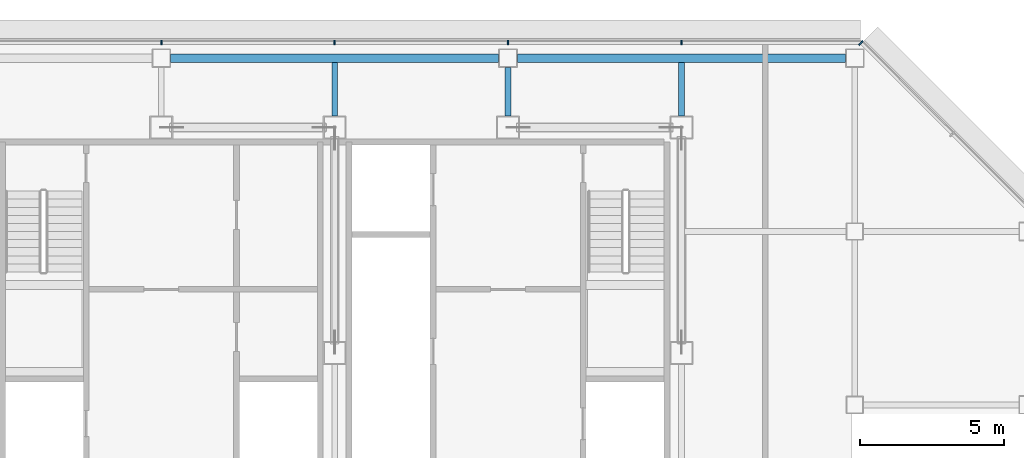
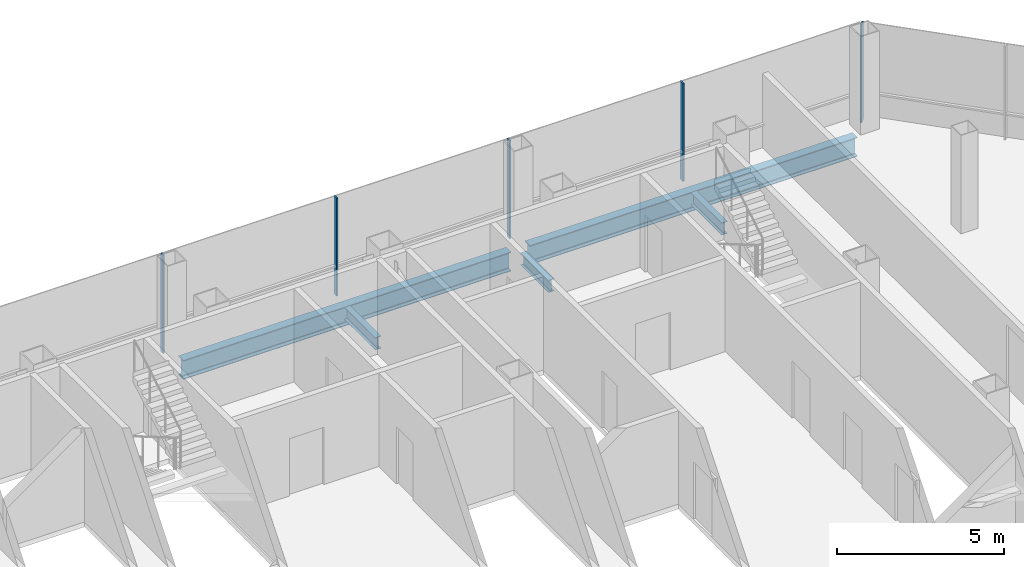
# One storey, part 15 of 26: 5 beams, 5 members, 2 elements without a shape of their own.
"""IFC4 building model written with IfcOpenShell, lengths in metres."""

from ifc_helpers import new_model, si_unit, direction, frame, origin, origin_2d, place, context, subcontext, project, spatial, rectangle, i_section, extrude, material, material_profile, profile_set, type_object, element, aggregate, save


model = new_model("IFC4")

# Units and contexts
model_context = context("Model", 3, precision=1e-05, world=origin(), true_north=direction((0.0, 1.0)))
body_context = subcontext(model_context, "Body", "Model", "MODEL_VIEW")
ifc_project = project(units=[si_unit("LENGTHUNIT", "METRE"), si_unit("AREAUNIT", "SQUARE_METRE"), si_unit("VOLUMEUNIT", "CUBIC_METRE"), si_unit("PLANEANGLEUNIT", "RADIAN"), si_unit("MASSUNIT", "GRAM", prefix="KILO")], contexts=[model_context])

# Site, building, storey
site_placement = place(None, origin())
site = spatial("IfcSite", under=ifc_project, at=site_placement, CompositionType="ELEMENT")
building_placement = place(site_placement, origin())
building = spatial("IfcBuilding", under=site, at=building_placement, Name="Sorahane Residences", CompositionType="ELEMENT")
storey_placement = place(building_placement, frame((0.0, 0.0, 222.60009765625)))
storey = spatial("IfcBuildingStorey", under=building, at=storey_placement, Name="L52", CompositionType="ELEMENT", Elevation=222.60009765625)

# Curtain wall, members
ifc_material_1 = material(Name="Dark low-e glass and black anodised aluminium", Category="aluminium")
curtain_wall_type_1 = type_object("IfcCurtainWallType", Name="Curtain wall CW-1 Typical unitised wall", PredefinedType="NOTDEFINED", material=ifc_material_1)
curtain_wall_1_placement = place(storey_placement, origin())
curtain_wall_1 = element("IfcCurtainWall", 1, at=curtain_wall_1_placement, inside=storey, type_object=curtain_wall_type_1, Name="CW-1 curtain wall L52 N1", PredefinedType="NOTDEFINED")
ifc_material_2 = material(Name="Black anodised aluminium", Category="aluminium")
ifc_material_profile_1 = material_profile(ifc_material_2, rectangle(XDim=0.159912109375, YDim=0.050048828125, at=origin_2d()), Name="Curtain wall mullion CW-1 black anodised aluminium 50x160")
ifc_profile_set_1 = profile_set([ifc_material_profile_1], Name="Black anodised aluminium")
member_type_1 = type_object("IfcMemberType", Name="Curtain wall mullion CW-1 black anodised aluminium 50x160", PredefinedType="MULLION", material=ifc_profile_set_1)
member_1_placement = place(storey_placement, frame((42.0, 48.5400390625, -0.18017578125), z_axis=(0.0, 0.0, 1.0), x_axis=(0.0, 1.0, 0.0)))
member_1 = element("IfcMember", 2, at=member_1_placement, type_object=member_type_1, Name="CW-1 mullion L52 N1.2", PredefinedType="MULLION", context=body_context, shape_type="SweptSolid", body=[
    extrude(rectangle(XDim=0.159912109375, YDim=0.050048828125, at=origin_2d()), origin(), (0.0, 0.0, 1.0), 3.60009765625),
])
member_2_placement = place(storey_placement, frame((36.0, 48.5400390625, -0.18017578125), z_axis=(0.0, 0.0, 1.0), x_axis=(0.0, 1.0, 0.0)))
member_2 = element("IfcMember", 3, at=member_2_placement, type_object=member_type_1, Name="CW-1 mullion L52 N1.3", PredefinedType="MULLION", context=body_context, shape_type="SweptSolid", body=[
    extrude(rectangle(XDim=0.159912109375, YDim=0.050048828125, at=origin_2d()), origin(), (0.0, 0.0, 1.0), 3.60009765625),
])
member_3_placement = place(storey_placement, frame((30.0, 48.5400390625, -0.18017578125), z_axis=(0.0, 0.0, 1.0), x_axis=(0.0, 1.0, 0.0)))
member_3 = element("IfcMember", 4, at=member_3_placement, type_object=member_type_1, Name="CW-1 mullion L52 N1.4", PredefinedType="MULLION", context=body_context, shape_type="SweptSolid", body=[
    extrude(rectangle(XDim=0.159912109375, YDim=0.050048828125, at=origin_2d()), origin(), (0.0, 0.0, 1.0), 3.60009765625),
])
member_4_placement = place(storey_placement, frame((24.0, 48.5400390625, -0.18017578125), z_axis=(0.0, 0.0, 1.0), x_axis=(0.0, 1.0, 0.0)))
member_4 = element("IfcMember", 5, at=member_4_placement, type_object=member_type_1, Name="CW-1 mullion L52 N1.5", PredefinedType="MULLION", context=body_context, shape_type="SweptSolid", body=[
    extrude(rectangle(XDim=0.159912109375, YDim=0.050048828125, at=origin_2d()), origin(), (0.0, 0.0, 1.0), 3.60009765625),
])
aggregate(curtain_wall_1, [member_1, member_2, member_3, member_4])

# Curtain wall, member
ifc_material_3 = material(Name="Dark low-e glass and black anodised aluminium", Category="aluminium")
curtain_wall_type_2 = type_object("IfcCurtainWallType", Name="Curtain wall CW-2 Chamfer unitised wall", PredefinedType="NOTDEFINED", material=ifc_material_3)
curtain_wall_2_placement = place(storey_placement, origin())
curtain_wall_2 = element("IfcCurtainWall", 6, at=curtain_wall_2_placement, inside=storey, type_object=curtain_wall_type_2, Name="CW-2 curtain wall L52 NE1", PredefinedType="NOTDEFINED")
ifc_material_4 = material(Name="Black anodised aluminium", Category="aluminium")
ifc_material_profile_2 = material_profile(ifc_material_4, rectangle(XDim=0.199951171875, YDim=0.050048828125, at=origin_2d()), Name="Curtain wall mullion CW-2 black anodised aluminium 50x200")
ifc_profile_set_2 = profile_set([ifc_material_profile_2], Name="Black anodised aluminium")
member_type_2 = type_object("IfcMemberType", Name="Curtain wall mullion CW-2 black anodised aluminium 50x200", PredefinedType="MULLION", material=ifc_profile_set_2)
member_5_placement = place(storey_placement, frame((48.209716796875, 48.525634765625, -0.18017578125), z_axis=(0.0, 0.0, 1.0), x_axis=(0.707106781187, 0.707106781187, 0.0)))
member_5 = element("IfcMember", 7, at=member_5_placement, type_object=member_type_2, Name="CW-2 mullion L52 NE1.3", PredefinedType="MULLION", context=body_context, shape_type="SweptSolid", body=[
    extrude(rectangle(XDim=0.199951171875, YDim=0.050048828125, at=origin_2d()), origin(), (0.0, 0.0, 1.0), 3.60009765625),
])
aggregate(curtain_wall_2, [member_5])

# Beams
ifc_material_5 = material(Name="Steel Q355B", Category="steel")
ifc_material_profile_3 = material_profile(ifc_material_5, i_section(OverallWidth=0.199951171875, OverallDepth=0.449951171875, WebThickness=0.009033203125, FlangeThickness=0.013916015625, FilletRadius=0.02001953125, at=origin_2d()), Name="HN 450x200x9x14")
ifc_profile_set_3 = profile_set([ifc_material_profile_3], Name="Steel Q355B")
beam_type_1 = type_object("IfcBeamType", Name="Steel floor beam HN 450x200x9x14 Q355B", PredefinedType="BEAM", material=ifc_profile_set_3)
beam_1_placement = place(storey_placement, frame((30.0, 46.0, -0.405029296875), z_axis=(0.0, 1.0, 0.0), x_axis=(-1.0, 0.0, 0.0)))
element("IfcBeam", 8, at=beam_1_placement, inside=storey, type_object=beam_type_1, Name="Beam L52 049", PredefinedType="BEAM", context=body_context, shape_type="SweptSolid", body=[
    extrude(i_section(OverallWidth=0.199951171875, OverallDepth=0.449951171875, WebThickness=0.009033203125, FlangeThickness=0.013916015625, FilletRadius=0.02001953125, at=origin_2d()), origin(), (0.0, 0.0, 1.0), 1.85009765625),
])
beam_2_placement = place(storey_placement, frame((36.0, 46.0, -0.405029296875), z_axis=(0.0, 1.0, 0.0), x_axis=(-1.0, 0.0, 0.0)))
element("IfcBeam", 9, at=beam_2_placement, inside=storey, type_object=beam_type_1, Name="Beam L52 051", PredefinedType="BEAM", context=body_context, shape_type="SweptSolid", body=[
    extrude(i_section(OverallWidth=0.199951171875, OverallDepth=0.449951171875, WebThickness=0.009033203125, FlangeThickness=0.013916015625, FilletRadius=0.02001953125, at=origin_2d()), origin(), (0.0, 0.0, 1.0), 1.675048828125),
])
beam_3_placement = place(storey_placement, frame((42.0, 46.0, -0.405029296875), z_axis=(0.0, 1.0, 0.0), x_axis=(-1.0, 0.0, 0.0)))
element("IfcBeam", 10, at=beam_3_placement, inside=storey, type_object=beam_type_1, Name="Beam L52 057", PredefinedType="BEAM", context=body_context, shape_type="SweptSolid", body=[
    extrude(i_section(OverallWidth=0.199951171875, OverallDepth=0.449951171875, WebThickness=0.009033203125, FlangeThickness=0.013916015625, FilletRadius=0.02001953125, at=origin_2d()), origin(), (0.0, 0.0, 1.0), 1.85009765625),
])
ifc_material_6 = material(Name="Steel Q355B", Category="steel")
ifc_material_profile_4 = material_profile(ifc_material_6, i_section(OverallWidth=0.300048828125, OverallDepth=0.699951171875, WebThickness=0.012939453125, FlangeThickness=0.02392578125, FilletRadius=0.028076171875, at=origin_2d()), Name="HN 700x300x13x24")
ifc_profile_set_4 = profile_set([ifc_material_profile_4], Name="Steel Q355B")
beam_type_2 = type_object("IfcBeamType", Name="Steel floor beam HN 700x300x13x24 Q355B", PredefinedType="BEAM", material=ifc_profile_set_4)
for number, where, z_axis, x_axis, name in (
    (11, (24.324951171875, 48.0, -0.530029296875), (1.0, 0.0, 0.0), (0.0, 1.0, 0.0), "Beam L52 018"),
    (12, (36.324951171875, 48.0, -0.530029296875), (1.0, 0.0, 0.0), (0.0, 1.0, 0.0), "Beam L52 019"),
):
    element("IfcBeam", number, at=place(storey_placement, frame(where, z_axis=z_axis, x_axis=x_axis)), inside=storey, type_object=beam_type_2, Name=name, PredefinedType="BEAM", context=body_context, shape_type="SweptSolid", body=[
        extrude(i_section(OverallWidth=0.300048828125, OverallDepth=0.699951171875, WebThickness=0.012939453125, FlangeThickness=0.02392578125, FilletRadius=0.028076171875, at=origin_2d()), origin(), (0.0, 0.0, 1.0), 11.35009765625),
    ])

save(model, "model.ifc")
